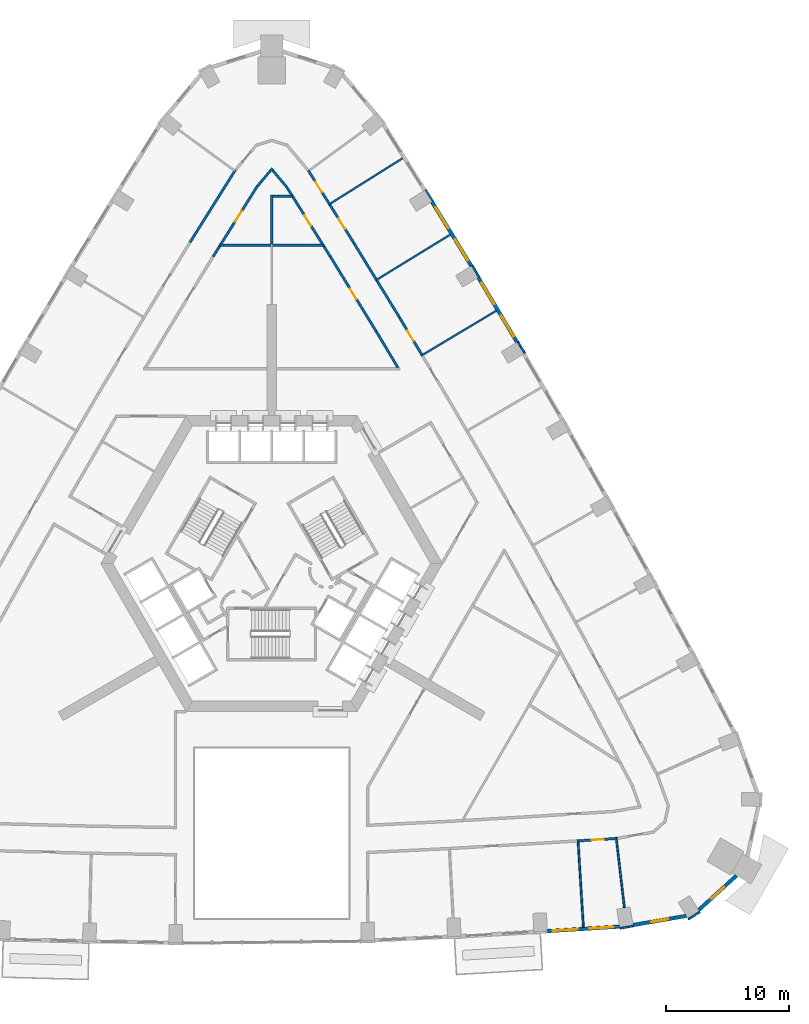
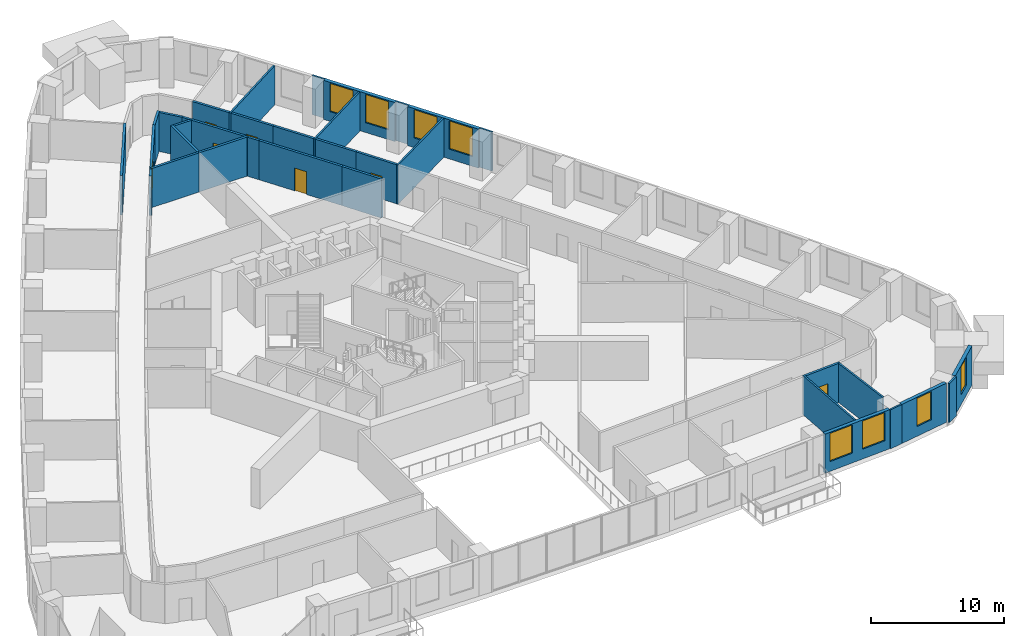
# One storey, part 10 of 15: 35 walls, 8 windows, 7 doors, 15 openings.
"""IFC4 building model written with IfcOpenShell, lengths in metres."""

from ifc_helpers import new_model, si_unit, direction, frame, frame_2d, origin, place, context, subcontext, project, spatial, rectangle, extrude, material, layer, layer_set, type_object, element, fill, save


model = new_model("IFC4")

# Units and contexts
model_context = context("Model", 3, precision=1e-05, world=origin(), true_north=direction((0.0, 1.0)))
body_context = subcontext(model_context, "Body", "Model", "MODEL_VIEW")
ifc_project = project(units=[si_unit("LENGTHUNIT", "METRE"), si_unit("AREAUNIT", "SQUARE_METRE"), si_unit("VOLUMEUNIT", "CUBIC_METRE"), si_unit("PLANEANGLEUNIT", "RADIAN"), si_unit("MASSUNIT", "GRAM", prefix="KILO")], contexts=[model_context])

# Site, building, storey
site_placement = place(None, origin())
site = spatial("IfcSite", under=ifc_project, at=site_placement, CompositionType="ELEMENT")
building_placement = place(site_placement, origin())
building = spatial("IfcBuilding", under=site, at=building_placement, Name="Entoto Arch Interchange Tower", CompositionType="ELEMENT")
storey_placement = place(building_placement, frame((0.0, 0.0, 128.60009765625)))
storey = spatial("IfcBuildingStorey", under=building, at=storey_placement, Name="L28", CompositionType="ELEMENT", Elevation=128.60009765625)

# Walls
ifc_material_1 = material(Name="Gypsum board partition on steel studs", Category="steel")
ifc_layer_1 = layer(ifc_material_1, 0.14990234375)
ifc_layer_set_1 = layer_set([ifc_layer_1], Name="Gypsum board partition on steel studs")
wall_type_1 = type_object("IfcWallType", Name="PARTITION 150", PredefinedType="PARTITIONING", material=ifc_layer_set_1)
wall_1_placement = place(storey_placement, frame((24.8291015625, -19.8759765625, 0.0), z_axis=(0.0, 0.0, 1.0), x_axis=(0.061693175316, -0.998095161856, 0.0)))
element("IfcWall", 1, at=wall_1_placement, inside=storey, type_object=wall_type_1, Name="wall:L28:p134", PredefinedType="PARTITIONING", context=body_context, shape_type="SweptSolid", body=[
    extrude(rectangle(XDim=7.099365234375, YDim=0.14990234375, at=frame_2d((3.5498046875, 0.0))), origin(), (0.0, 0.0, 1.0), 3.599853515625),
])
wall_2_placement = place(storey_placement, frame((27.925048828125, -19.68408203125, 0.0), z_axis=(0.0, 0.0, 1.0), x_axis=(0.115888394456, -0.993262241319, 0.0)))
element("IfcWall", 2, at=wall_2_placement, inside=storey, type_object=wall_type_1, Name="wall:L28:p135", PredefinedType="PARTITIONING", context=body_context, shape_type="SweptSolid", body=[
    extrude(rectangle(XDim=5.738525390625, YDim=0.14990234375, at=frame_2d((2.869140625, 0.0))), origin(), (0.0, 0.0, 1.0), 3.599853515625),
])
wall_3_placement = place(storey_placement, frame((12.10400390625, 19.347900390625, 0.0), z_axis=(0.0, 0.0, 1.0), x_axis=(0.85799008499, 0.513666247732, 0.0)))
element("IfcWall", 3, at=wall_3_placement, inside=storey, type_object=wall_type_1, Name="wall:L28:p141", PredefinedType="PARTITIONING", context=body_context, shape_type="SweptSolid", body=[
    extrude(rectangle(XDim=7.100341796875, YDim=0.14990234375, at=frame_2d((3.55029296875, 0.0))), origin(), (0.0, 0.0, 1.0), 3.599853515625),
])
wall_4_placement = place(storey_placement, frame((8.406005859375, 25.450927734375, 0.0), z_axis=(0.0, 0.0, 1.0), x_axis=(0.852520194289, 0.522694287637, 0.0)))
element("IfcWall", 4, at=wall_4_placement, inside=storey, type_object=wall_type_1, Name="wall:L28:p142", PredefinedType="PARTITIONING", context=body_context, shape_type="SweptSolid", body=[
    extrude(rectangle(XDim=7.10009765625, YDim=0.14990234375, at=frame_2d((3.550048828125, 0.0))), origin(), (0.0, 0.0, 1.0), 3.599853515625),
])
wall_5_placement = place(storey_placement, frame((4.596923828125, 31.589111328125, 0.0), z_axis=(0.0, 0.0, 1.0), x_axis=(0.846980720953, 0.531623605885, 0.0)))
element("IfcWall", 5, at=wall_5_placement, inside=storey, type_object=wall_type_1, Name="wall:L28:p143", PredefinedType="PARTITIONING", context=body_context, shape_type="SweptSolid", body=[
    extrude(rectangle(XDim=7.1005859375, YDim=0.14990234375, at=frame_2d((3.55029296875, 0.0))), origin(), (0.0, 0.0, 1.0), 3.599853515625),
])
ifc_layer_2 = layer(ifc_material_1, 0.199951171875)
ifc_layer_set_2 = layer_set([ifc_layer_2], Name="Gypsum board partition on steel studs")
wall_type_2 = type_object("IfcWallType", Name="PARTITION 200", PredefinedType="PARTITIONING", material=ifc_layer_set_2)
wall_6_placement = place(storey_placement, frame((10.23193359375, 18.385986328125, 0.0), z_axis=(0.0, 0.0, 1.0), x_axis=(-0.513592824646, 0.858034038062, 0.0)))
element("IfcWall", 6, at=wall_6_placement, inside=storey, type_object=wall_type_2, Name="wall:L28:p009", PredefinedType="PARTITIONING", context=body_context, shape_type="SweptSolid", body=[
    extrude(rectangle(XDim=3.420654296875, YDim=0.199951171875, at=frame_2d((1.71044921875, 0.0))), origin(), (0.0, 0.0, 1.0), 3.599853515625),
])

# Wall, opening, door
wall_7_placement = place(storey_placement, frame((8.47509765625, 21.321044921875, 0.0), z_axis=(0.0, 0.0, 1.0), x_axis=(-0.522743103274, 0.852490262689, 0.0)))
wall_7 = element("IfcWall", 7, at=wall_7_placement, inside=storey, type_object=wall_type_2, Name="wall:L28:p010", PredefinedType="PARTITIONING", context=body_context, shape_type="SweptSolid", body=[
    extrude(rectangle(XDim=7.114501953125, YDim=0.199951171875, at=frame_2d((3.55712890625, 0.0))), origin(), (0.0, 0.0, 1.0), 3.599853515625),
])
opening_1_placement = place(wall_7_placement, frame((3.056884765625, 0.0, 0.0)))
opening_1 = element("IfcOpeningElement", 8, at=opening_1_placement, cuts=wall_7, Name="Opening L28-D26", PredefinedType="OPENING", context=body_context, shape_type="SweptSolid", body=[
    extrude(rectangle(XDim=1.0, YDim=2.10009765625, at=frame_2d((0.5, 1.050048828125))), frame((0.0, 0.10986328125, 0.0), z_axis=(0.0, -1.0, 0.0), x_axis=(1.0, 0.0, 0.0)), (0.0, 0.0, 1.0), 0.219970703125),
])
ifc_material_2 = material(Name="Timber door leaf in Steel S235 frame", Category="steel")
door_type = type_object("IfcDoorType", Name="DOOR DS-10 1000x2100", OperationType="SINGLE_SWING_LEFT", PredefinedType="DOOR", material=ifc_material_2)
door_1_placement = place(opening_1_placement, origin())
door_1 = element("IfcDoor", 9, at=door_1_placement, inside=storey, type_object=door_type, Name="door:L28:26", OperationType="SINGLE_SWING_RIGHT", OverallHeight=2.10009765625, OverallWidth=1.0, PredefinedType="DOOR", context=body_context, shape_type="SweptSolid", body=[
    extrude(rectangle(XDim=1.0, YDim=2.10009765625, at=frame_2d((0.5, 1.050048828125))), frame((0.0, 0.02490234375, 0.0), z_axis=(0.0, -1.0, 0.0), x_axis=(1.0, 0.0, 0.0)), (0.0, 0.0, 1.0), 0.050048828125),
])
fill(opening_1, door_1)

# Walls
for number, where, z_axis, x_axis, name in (
    (10, (4.756103515625, 27.385986328125, 0.0), (0.0, 0.0, 1.0), (-0.531343659666, 0.84715637006, 0.0), "wall:L28:p011"),
    (11, (-4.236083984375, 28.215087890625, 0.0), (0.0, 0.0, 1.0), (-0.531343659666, -0.84715637006, 0.0), "wall:L28:p012"),
):
    element("IfcWall", number, at=place(storey_placement, frame(where, z_axis=z_axis, x_axis=x_axis)), inside=storey, type_object=wall_type_2, Name=name, PredefinedType="PARTITIONING", context=body_context, shape_type="SweptSolid", body=[
        extrude(rectangle(XDim=0.978759765625, YDim=0.199951171875, at=frame_2d((0.4892578125, 0.0))), origin(), (0.0, 0.0, 1.0), 3.599853515625),
    ])

# Wall, opening, door
wall_8_placement = place(storey_placement, frame((4.236083984375, 28.215087890625, 0.0), z_axis=(0.0, 0.0, 1.0), x_axis=(-0.531602694807, 0.84699384583, 0.0)))
wall_8 = element("IfcWall", 12, at=wall_8_placement, inside=storey, type_object=wall_type_2, Name="wall:L28:p015", PredefinedType="PARTITIONING", context=body_context, shape_type="SweptSolid", body=[
    extrude(rectangle(XDim=4.923095703125, YDim=0.199951171875, at=frame_2d((2.46142578125, 0.0))), origin(), (0.0, 0.0, 1.0), 3.599853515625),
])
opening_2_placement = place(wall_8_placement, frame((1.9609375, 0.0, 0.0)))
opening_2 = element("IfcOpeningElement", 13, at=opening_2_placement, cuts=wall_8, Name="Opening L28-D28", PredefinedType="OPENING", context=body_context, shape_type="SweptSolid", body=[
    extrude(rectangle(XDim=1.0, YDim=2.10009765625, at=frame_2d((0.5, 1.050048828125))), frame((0.0, 0.10986328125, 0.0), z_axis=(0.0, -1.0, 0.0), x_axis=(1.0, 0.0, 0.0)), (0.0, 0.0, 1.0), 0.219970703125),
])
door_2_placement = place(opening_2_placement, origin())
door_2 = element("IfcDoor", 14, at=door_2_placement, inside=storey, type_object=door_type, Name="door:L28:28", OperationType="SINGLE_SWING_LEFT", OverallHeight=2.10009765625, OverallWidth=1.0, PredefinedType="DOOR", context=body_context, shape_type="SweptSolid", body=[
    extrude(rectangle(XDim=1.0, YDim=2.10009765625, at=frame_2d((0.5, 1.050048828125))), frame((0.0, 0.02490234375, 0.0), z_axis=(0.0, -1.0, 0.0), x_axis=(1.0, 0.0, 0.0)), (0.0, 0.0, 1.0), 0.050048828125),
])
fill(opening_2, door_2)

# Walls
wall_9_placement = place(storey_placement, frame((1.618896484375, 32.385009765625, 0.0), z_axis=(0.0, 0.0, 1.0), x_axis=(-0.532112237469, 0.84667382547, 0.0)))
element("IfcWall", 15, at=wall_9_placement, inside=storey, type_object=wall_type_2, Name="wall:L28:p016", PredefinedType="PARTITIONING", context=body_context, shape_type="SweptSolid", body=[
    extrude(rectangle(XDim=0.674560546875, YDim=0.199951171875, at=frame_2d((0.33740234375, 0.0))), origin(), (0.0, 0.0, 1.0), 3.599853515625),
])
wall_10_placement = place(storey_placement, frame((1.27099609375, 32.964111328125, 0.0), z_axis=(0.0, 0.0, 1.0), x_axis=(-0.644007376392, 0.765019280249, 0.0)))
element("IfcWall", 16, at=wall_10_placement, inside=storey, type_object=wall_type_2, Name="wall:L28:p017", PredefinedType="PARTITIONING", context=body_context, shape_type="SweptSolid", body=[
    extrude(rectangle(XDim=1.874267578125, YDim=0.199951171875, at=frame_2d((0.93701171875, 0.0))), origin(), (0.0, 0.0, 1.0), 3.599853515625),
])
wall_11_placement = place(storey_placement, frame((0.06396484375, 34.551025390625, 0.0), z_axis=(0.0, 0.0, 1.0), x_axis=(-0.643638095982, -0.765329995101, 0.0)))
element("IfcWall", 17, at=wall_11_placement, inside=storey, type_object=wall_type_2, Name="wall:L28:p018", PredefinedType="PARTITIONING", context=body_context, shape_type="SweptSolid", body=[
    extrude(rectangle(XDim=1.873779296875, YDim=0.199951171875, at=frame_2d((0.93701171875, 0.0))), origin(), (0.0, 0.0, 1.0), 3.599853515625),
])

# Wall, opening, door
wall_12_placement = place(storey_placement, frame((-1.154052734375, 33.125, 0.0), z_axis=(0.0, 0.0, 1.0), x_axis=(-0.531652223099, -0.846962758139, 0.0)))
wall_12 = element("IfcWall", 18, at=wall_12_placement, inside=storey, type_object=wall_type_2, Name="wall:L28:p019", PredefinedType="PARTITIONING", context=body_context, shape_type="SweptSolid", body=[
    extrude(rectangle(XDim=5.797119140625, YDim=0.199951171875, at=frame_2d((2.8984375, 0.0))), origin(), (0.0, 0.0, 1.0), 3.599853515625),
])
opening_3_placement = place(wall_12_placement, frame((2.39892578125, 0.0, 0.0)))
opening_3 = element("IfcOpeningElement", 19, at=opening_3_placement, cuts=wall_12, Name="Opening L28-D29", PredefinedType="OPENING", context=body_context, shape_type="SweptSolid", body=[
    extrude(rectangle(XDim=1.0, YDim=2.10009765625, at=frame_2d((0.5, 1.050048828125))), frame((0.0, 0.10986328125, 0.0), z_axis=(0.0, -1.0, 0.0), x_axis=(1.0, 0.0, 0.0)), (0.0, 0.0, 1.0), 0.219970703125),
])
door_3_placement = place(opening_3_placement, origin())
door_3 = element("IfcDoor", 20, at=door_3_placement, inside=storey, type_object=door_type, Name="door:L28:29", OperationType="SINGLE_SWING_LEFT", OverallHeight=2.10009765625, OverallWidth=1.0, PredefinedType="DOOR", context=body_context, shape_type="SweptSolid", body=[
    extrude(rectangle(XDim=1.0, YDim=2.10009765625, at=frame_2d((0.5, 1.050048828125))), frame((0.0, 0.02490234375, 0.0), z_axis=(0.0, -1.0, 0.0), x_axis=(1.0, 0.0, 0.0)), (0.0, 0.0, 1.0), 0.050048828125),
])
fill(opening_3, door_3)

wall_13_placement = place(storey_placement, frame((27.9619140625, -19.781982421875, 0.0), z_axis=(0.0, 0.0, 1.0), x_axis=(-0.998088756763, -0.061796712082, 0.0)))
wall_13 = element("IfcWall", 21, at=wall_13_placement, inside=storey, type_object=wall_type_2, Name="wall:L28:p046", PredefinedType="PARTITIONING", context=body_context, shape_type="SweptSolid", body=[
    extrude(rectangle(XDim=3.057861328125, YDim=0.199951171875, at=frame_2d((1.52880859375, 0.0))), origin(), (0.0, 0.0, 1.0), 3.599853515625),
])
opening_4_placement = place(wall_13_placement, frame((1.029052734375, 0.0, 0.0)))
opening_4 = element("IfcOpeningElement", 22, at=opening_4_placement, cuts=wall_13, Name="Opening L28-D03", PredefinedType="OPENING", context=body_context, shape_type="SweptSolid", body=[
    extrude(rectangle(XDim=1.0, YDim=2.10009765625, at=frame_2d((0.5, 1.050048828125))), frame((0.0, 0.10986328125, 0.0), z_axis=(0.0, -1.0, 0.0), x_axis=(1.0, 0.0, 0.0)), (0.0, 0.0, 1.0), 0.219970703125),
])
door_4_placement = place(opening_4_placement, origin())
door_4 = element("IfcDoor", 23, at=door_4_placement, inside=storey, type_object=door_type, Name="door:L28:03", OperationType="SINGLE_SWING_RIGHT", OverallHeight=2.10009765625, OverallWidth=1.0, PredefinedType="DOOR", context=body_context, shape_type="SweptSolid", body=[
    extrude(rectangle(XDim=1.0, YDim=2.10009765625, at=frame_2d((0.5, 1.050048828125))), frame((0.0, 0.02490234375, 0.0), z_axis=(0.0, -1.0, 0.0), x_axis=(1.0, 0.0, 0.0)), (0.0, 0.0, 1.0), 0.050048828125),
])
fill(opening_4, door_4)

# Wall
wall_14_placement = place(storey_placement, frame((8.531005859375, 25.43896484375, 0.0), z_axis=(0.0, 0.0, 1.0), x_axis=(0.522704631836, -0.852513852003, 0.0)))
element("IfcWall", 24, at=wall_14_placement, inside=storey, type_object=wall_type_2, Name="wall:L28:p058", PredefinedType="PARTITIONING", context=body_context, shape_type="SweptSolid", body=[
    extrude(rectangle(XDim=3.4931640625, YDim=0.199951171875, at=frame_2d((1.74658203125, 0.0))), origin(), (0.0, 0.0, 1.0), 3.599853515625),
])

# Wall, opening, door
wall_15_placement = place(storey_placement, frame((10.35693359375, 22.4609375, 0.0), z_axis=(0.0, 0.0, 1.0), x_axis=(0.513467759888, -0.858108885606, 0.0)))
wall_15 = element("IfcWall", 25, at=wall_15_placement, inside=storey, type_object=wall_type_2, Name="wall:L28:p059", PredefinedType="PARTITIONING", context=body_context, shape_type="SweptSolid", body=[
    extrude(rectangle(XDim=3.493896484375, YDim=0.199951171875, at=frame_2d((1.7470703125, 0.0))), origin(), (0.0, 0.0, 1.0), 3.599853515625),
])
opening_5_placement = place(wall_15_placement, frame((1.2470703125, 0.0, 0.0)))
opening_5 = element("IfcOpeningElement", 26, at=opening_5_placement, cuts=wall_15, Name="Opening L28-D10", PredefinedType="OPENING", context=body_context, shape_type="SweptSolid", body=[
    extrude(rectangle(XDim=1.0, YDim=2.10009765625, at=frame_2d((0.5, 1.050048828125))), frame((0.0, 0.10986328125, 0.0), z_axis=(0.0, -1.0, 0.0), x_axis=(1.0, 0.0, 0.0)), (0.0, 0.0, 1.0), 0.219970703125),
])
door_5_placement = place(opening_5_placement, origin())
door_5 = element("IfcDoor", 27, at=door_5_placement, inside=storey, type_object=door_type, Name="door:L28:10", OperationType="SINGLE_SWING_RIGHT", OverallHeight=2.10009765625, OverallWidth=1.0, PredefinedType="DOOR", context=body_context, shape_type="SweptSolid", body=[
    extrude(rectangle(XDim=1.0, YDim=2.10009765625, at=frame_2d((0.5, 1.050048828125))), frame((0.0, 0.02490234375, 0.0), z_axis=(0.0, -1.0, 0.0), x_axis=(1.0, 0.0, 0.0)), (0.0, 0.0, 1.0), 0.050048828125),
])
fill(opening_5, door_5)

wall_16_placement = place(storey_placement, frame((4.721923828125, 31.5791015625, 0.0), z_axis=(0.0, 0.0, 1.0), x_axis=(0.531664655861, -0.846954953766, 0.0)))
wall_16 = element("IfcWall", 28, at=wall_16_placement, inside=storey, type_object=wall_type_2, Name="wall:L28:p060", PredefinedType="PARTITIONING", context=body_context, shape_type="SweptSolid", body=[
    extrude(rectangle(XDim=3.581298828125, YDim=0.199951171875, at=frame_2d((1.79052734375, 0.0))), origin(), (0.0, 0.0, 1.0), 3.599853515625),
])
opening_6_placement = place(wall_16_placement, frame((1.291015625, 0.0, 0.0)))
opening_6 = element("IfcOpeningElement", 29, at=opening_6_placement, cuts=wall_16, Name="Opening L28-D11", PredefinedType="OPENING", context=body_context, shape_type="SweptSolid", body=[
    extrude(rectangle(XDim=1.0, YDim=2.10009765625, at=frame_2d((0.5, 1.050048828125))), frame((0.0, 0.10986328125, 0.0), z_axis=(0.0, -1.0, 0.0), x_axis=(1.0, 0.0, 0.0)), (0.0, 0.0, 1.0), 0.219970703125),
])
door_6_placement = place(opening_6_placement, origin())
door_6 = element("IfcDoor", 30, at=door_6_placement, inside=storey, type_object=door_type, Name="door:L28:11", OperationType="SINGLE_SWING_LEFT", OverallHeight=2.10009765625, OverallWidth=1.0, PredefinedType="DOOR", context=body_context, shape_type="SweptSolid", body=[
    extrude(rectangle(XDim=1.0, YDim=2.10009765625, at=frame_2d((0.5, 1.050048828125))), frame((0.0, 0.02490234375, 0.0), z_axis=(0.0, -1.0, 0.0), x_axis=(1.0, 0.0, 0.0)), (0.0, 0.0, 1.0), 0.050048828125),
])
fill(opening_6, door_6)

# Wall
wall_17_placement = place(storey_placement, frame((6.6259765625, 28.5458984375, 0.0), z_axis=(0.0, 0.0, 1.0), x_axis=(0.522580081027, -0.852590205734, 0.0)))
element("IfcWall", 31, at=wall_17_placement, inside=storey, type_object=wall_type_2, Name="wall:L28:p061", PredefinedType="PARTITIONING", context=body_context, shape_type="SweptSolid", body=[
    extrude(rectangle(XDim=3.494140625, YDim=0.199951171875, at=frame_2d((1.7470703125, 0.0))), origin(), (0.0, 0.0, 1.0), 3.599853515625),
])

# Wall, opening, door
wall_18_placement = place(storey_placement, frame((2.97509765625, 34.361083984375, 0.0), z_axis=(0.0, 0.0, 1.0), x_axis=(0.531740854333, -0.846907116414, 0.0)))
wall_18 = element("IfcWall", 32, at=wall_18_placement, inside=storey, type_object=wall_type_2, Name="wall:L28:p062", PredefinedType="PARTITIONING", context=body_context, shape_type="SweptSolid", body=[
    extrude(rectangle(XDim=3.135009765625, YDim=0.199951171875, at=frame_2d((1.5673828125, 0.0))), origin(), (0.0, 0.0, 1.0), 3.599853515625),
])
opening_7_placement = place(wall_18_placement, frame((1.068115234375, 0.0, 0.0)))
opening_7 = element("IfcOpeningElement", 33, at=opening_7_placement, cuts=wall_18, Name="Opening L28-D12", PredefinedType="OPENING", context=body_context, shape_type="SweptSolid", body=[
    extrude(rectangle(XDim=1.0, YDim=2.10009765625, at=frame_2d((0.5, 1.050048828125))), frame((0.0, 0.10986328125, 0.0), z_axis=(0.0, -1.0, 0.0), x_axis=(1.0, 0.0, 0.0)), (0.0, 0.0, 1.0), 0.219970703125),
])
door_7_placement = place(opening_7_placement, origin())
door_7 = element("IfcDoor", 34, at=door_7_placement, inside=storey, type_object=door_type, Name="door:L28:12", OperationType="SINGLE_SWING_LEFT", OverallHeight=2.10009765625, OverallWidth=1.0, PredefinedType="DOOR", context=body_context, shape_type="SweptSolid", body=[
    extrude(rectangle(XDim=1.0, YDim=2.10009765625, at=frame_2d((0.5, 1.050048828125))), frame((0.0, 0.02490234375, 0.0), z_axis=(0.0, -1.0, 0.0), x_axis=(1.0, 0.0, 0.0)), (0.0, 0.0, 1.0), 0.050048828125),
])
fill(opening_7, door_7)

# Walls
wall_19_placement = place(storey_placement, frame((-6.6259765625, 28.5458984375, 0.0), z_axis=(0.0, 0.0, 1.0), x_axis=(0.531701842465, 0.846931609234, 0.0)))
element("IfcWall", 35, at=wall_19_placement, inside=storey, type_object=wall_type_2, Name="wall:L28:p068", PredefinedType="PARTITIONING", context=body_context, shape_type="SweptSolid", body=[
    extrude(rectangle(XDim=6.941650390625, YDim=0.199951171875, at=frame_2d((3.470703125, 0.0))), origin(), (0.0, 0.0, 1.0), 3.599853515625),
])
wall_20_placement = place(storey_placement, frame((-0.050048828125, 28.300048828125, 0.0), z_axis=(0.0, 0.0, 1.0), x_axis=(1.0, 0.0, 0.0)))
element("IfcWall", 36, at=wall_20_placement, inside=storey, type_object=wall_type_2, Name="wall:L28:p125", PredefinedType="PARTITIONING", context=body_context, shape_type="SweptSolid", body=[
    extrude(rectangle(XDim=4.23193359375, YDim=0.199951171875, at=frame_2d((2.115966796875, 0.0))), origin(), (0.0, 0.0, 1.0), 3.599853515625),
])
wall_21_placement = place(storey_placement, frame((-4.181884765625, 28.300048828125, 0.0), z_axis=(0.0, 0.0, 1.0), x_axis=(1.0, 0.0, 0.0)))
element("IfcWall", 37, at=wall_21_placement, inside=storey, type_object=wall_type_2, Name="wall:L28:p126", PredefinedType="PARTITIONING", context=body_context, shape_type="SweptSolid", body=[
    extrude(rectangle(XDim=4.1318359375, YDim=0.199951171875, at=frame_2d((2.06591796875, 0.0))), origin(), (0.0, 0.0, 1.0), 3.599853515625),
])
wall_22_placement = place(storey_placement, frame((0.0, 28.39990234375, 0.0), z_axis=(0.0, 0.0, 1.0), x_axis=(0.0, 1.0, 0.0)))
element("IfcWall", 38, at=wall_22_placement, inside=storey, type_object=wall_type_2, Name="wall:L28:p127", PredefinedType="PARTITIONING", context=body_context, shape_type="SweptSolid", body=[
    extrude(rectangle(XDim=4.0, YDim=0.199951171875, at=frame_2d((2.0, 0.0))), origin(), (0.0, 0.0, 1.0), 3.599853515625),
])
wall_23_placement = place(storey_placement, frame((0.10009765625, 32.300048828125, 0.0), z_axis=(0.0, 0.0, 1.0), x_axis=(1.0, 0.0, 0.0)))
element("IfcWall", 39, at=wall_23_placement, inside=storey, type_object=wall_type_2, Name="wall:L28:p128", PredefinedType="PARTITIONING", context=body_context, shape_type="SweptSolid", body=[
    extrude(rectangle(XDim=1.572021484375, YDim=0.199951171875, at=frame_2d((0.7861328125, 0.0))), origin(), (0.0, 0.0, 1.0), 3.599853515625),
])

# Wall, openings, windows
ifc_material_3 = material(Name="Welded tuff (ignimbrite) cladding, warm buff", Category="masonry")
ifc_layer_3 = layer(ifc_material_3, 0.300048828125)
ifc_layer_set_3 = layer_set([ifc_layer_3], Name="Welded tuff (ignimbrite) cladding, warm buff")
wall_type_3 = type_object("IfcWallType", Name="STONE INFILL WALL 300", PredefinedType="STANDARD", material=ifc_layer_set_3)
wall_24_placement = place(storey_placement, frame((22.33203125, -27.2939453125, 0.0), z_axis=(0.0, 0.0, 1.0), x_axis=(0.998086636664, 0.061830944626, 0.0)))
wall_24 = element("IfcWall", 40, at=wall_24_placement, inside=storey, type_object=wall_type_3, Name="Facade wall S-07 L28", PredefinedType="STANDARD", context=body_context, shape_type="SweptSolid", body=[
    extrude(rectangle(XDim=5.88720703125, YDim=0.300048828125, at=frame_2d((2.943603515625, 0.0))), origin(), (0.0, 0.0, 1.0), 3.599853515625),
])
opening_8_placement = place(wall_24_placement, frame((0.471923828125, 0.0, 0.89990234375)))
opening_8 = element("IfcOpeningElement", 41, at=opening_8_placement, cuts=wall_24, Name="Opening WO-C", PredefinedType="OPENING", context=body_context, shape_type="SweptSolid", body=[
    extrude(rectangle(XDim=2.0, YDim=2.60009765625, at=frame_2d((1.0, 1.300048828125))), frame((0.0, 0.16015625, 0.0), z_axis=(0.0, -1.0, 0.0), x_axis=(1.0, 0.0, 0.0)), (0.0, 0.0, 1.0), 0.320068359375),
])
opening_9_placement = place(wall_24_placement, frame((3.4150390625, 0.0, 0.89990234375)))
opening_9 = element("IfcOpeningElement", 42, at=opening_9_placement, cuts=wall_24, Name="Opening WO-C", PredefinedType="OPENING", context=body_context, shape_type="SweptSolid", body=[
    extrude(rectangle(XDim=2.0, YDim=2.60009765625, at=frame_2d((1.0, 1.300048828125))), frame((0.0, 0.16015625, 0.0), z_axis=(0.0, -1.0, 0.0), x_axis=(1.0, 0.0, 0.0)), (0.0, 0.0, 1.0), 0.320068359375),
])
ifc_material_4 = material(Name="Clear glass, low-e double glazed", Category="glass")
window_type_1 = type_object("IfcWindowType", Name="WINDOW WO-C 2000x2600", PartitioningType="DOUBLE_PANEL_VERTICAL", PredefinedType="WINDOW", material=ifc_material_4)
window_1_placement = place(opening_8_placement, origin())
window_1 = element("IfcWindow", 43, at=window_1_placement, inside=storey, type_object=window_type_1, Name="Window WO-C S-07 L28", OverallHeight=2.60009765625, OverallWidth=2.0, PartitioningType="SINGLE_PANEL", PredefinedType="WINDOW", context=body_context, shape_type="SweptSolid", body=[
    extrude(rectangle(XDim=2.0, YDim=2.60009765625, at=frame_2d((1.0, 1.300048828125))), frame((0.0, 0.030029296875, 0.0), z_axis=(0.0, -1.0, 0.0), x_axis=(1.0, 0.0, 0.0)), (0.0, 0.0, 1.0), 0.06005859375),
])
fill(opening_8, window_1)
window_2_placement = place(opening_9_placement, origin())
window_2 = element("IfcWindow", 44, at=window_2_placement, inside=storey, type_object=window_type_1, Name="Window WO-C S-07 L28", OverallHeight=2.60009765625, OverallWidth=2.0, PartitioningType="SINGLE_PANEL", PredefinedType="WINDOW", context=body_context, shape_type="SweptSolid", body=[
    extrude(rectangle(XDim=2.0, YDim=2.60009765625, at=frame_2d((1.0, 1.300048828125))), frame((0.0, 0.030029296875, 0.0), z_axis=(0.0, -1.0, 0.0), x_axis=(1.0, 0.0, 0.0)), (0.0, 0.0, 1.0), 0.06005859375),
])
fill(opening_9, window_2)

# Wall, opening, window
wall_25_placement = place(storey_placement, frame((29.300048828125, -26.803955078125, 0.0), z_axis=(0.0, 0.0, 1.0), x_axis=(0.985504881957, 0.169647067875, 0.0)))
wall_25 = element("IfcWall", 45, at=wall_25_placement, inside=storey, type_object=wall_type_3, Name="Facade wall SE-01 L28", PredefinedType="STANDARD", context=body_context, shape_type="SweptSolid", body=[
    extrude(rectangle(XDim=4.37353515625, YDim=0.300048828125, at=frame_2d((2.186767578125, 0.0))), origin(), (0.0, 0.0, 1.0), 3.599853515625),
])
opening_10_placement = place(wall_25_placement, frame((1.487060546875, 0.0, 0.89990234375)))
opening_10 = element("IfcOpeningElement", 46, at=opening_10_placement, cuts=wall_25, Name="Opening WO-B", PredefinedType="OPENING", context=body_context, shape_type="SweptSolid", body=[
    extrude(rectangle(XDim=1.39990234375, YDim=2.60009765625, at=frame_2d((0.699951171875, 1.300048828125))), frame((0.0, 0.16015625, 0.0), z_axis=(0.0, -1.0, 0.0), x_axis=(1.0, 0.0, 0.0)), (0.0, 0.0, 1.0), 0.320068359375),
])
window_type_2 = type_object("IfcWindowType", Name="WINDOW WO-B 1400x2600", PartitioningType="DOUBLE_PANEL_VERTICAL", PredefinedType="WINDOW", material=ifc_material_4)
window_3_placement = place(opening_10_placement, origin())
window_3 = element("IfcWindow", 47, at=window_3_placement, inside=storey, type_object=window_type_2, Name="Window WO-B SE-01 L28", OverallHeight=2.60009765625, OverallWidth=1.39990234375, PartitioningType="SINGLE_PANEL", PredefinedType="WINDOW", context=body_context, shape_type="SweptSolid", body=[
    extrude(rectangle(XDim=1.39990234375, YDim=2.60009765625, at=frame_2d((0.699951171875, 1.300048828125))), frame((0.0, 0.030029296875, 0.0), z_axis=(0.0, -1.0, 0.0), x_axis=(1.0, 0.0, 0.0)), (0.0, 0.0, 1.0), 0.06005859375),
])
fill(opening_10, window_3)

wall_26_placement = place(storey_placement, frame((34.610107421875, -25.593017578125, 0.0), z_axis=(0.0, 0.0, 1.0), x_axis=(0.738825046606, 0.673897284835, 0.0)))
wall_26 = element("IfcWall", 48, at=wall_26_placement, inside=storey, type_object=wall_type_3, Name="Facade wall SE-02 L28", PredefinedType="STANDARD", context=body_context, shape_type="SweptSolid", body=[
    extrude(rectangle(XDim=4.155029296875, YDim=0.300048828125, at=frame_2d((2.07763671875, 0.0))), origin(), (0.0, 0.0, 1.0), 3.599853515625),
])
opening_11_placement = place(wall_26_placement, frame((1.3779296875, 0.0, 0.89990234375)))
opening_11 = element("IfcOpeningElement", 49, at=opening_11_placement, cuts=wall_26, Name="Opening WO-B", PredefinedType="OPENING", context=body_context, shape_type="SweptSolid", body=[
    extrude(rectangle(XDim=1.39990234375, YDim=2.60009765625, at=frame_2d((0.699951171875, 1.300048828125))), frame((0.0, 0.16015625, 0.0), z_axis=(0.0, -1.0, 0.0), x_axis=(1.0, 0.0, 0.0)), (0.0, 0.0, 1.0), 0.320068359375),
])
window_4_placement = place(opening_11_placement, origin())
window_4 = element("IfcWindow", 50, at=window_4_placement, inside=storey, type_object=window_type_2, Name="Window WO-B SE-02 L28", OverallHeight=2.60009765625, OverallWidth=1.39990234375, PartitioningType="SINGLE_PANEL", PredefinedType="WINDOW", context=body_context, shape_type="SweptSolid", body=[
    extrude(rectangle(XDim=1.39990234375, YDim=2.60009765625, at=frame_2d((0.699951171875, 1.300048828125))), frame((0.0, 0.030029296875, 0.0), z_axis=(0.0, -1.0, 0.0), x_axis=(1.0, 0.0, 0.0)), (0.0, 0.0, 1.0), 0.06005859375),
])
fill(opening_11, window_4)

# Wall, openings, windows
wall_27_placement = place(storey_placement, frame((19.89501953125, 20.448974609375, 0.0), z_axis=(0.0, 0.0, 1.0), x_axis=(-0.513708729904, 0.857964650099, 0.0)))
wall_27 = element("IfcWall", 51, at=wall_27_placement, inside=storey, type_object=wall_type_3, Name="Facade wall NE-06 L28", PredefinedType="STANDARD", context=body_context, shape_type="SweptSolid", body=[
    extrude(rectangle(XDim=6.114501953125, YDim=0.300048828125, at=frame_2d((3.05712890625, 0.0))), origin(), (0.0, 0.0, 1.0), 3.599853515625),
])
opening_12_placement = place(wall_27_placement, frame((0.529052734375, 0.0, 0.89990234375)))
opening_12 = element("IfcOpeningElement", 52, at=opening_12_placement, cuts=wall_27, Name="Opening WO-C", PredefinedType="OPENING", context=body_context, shape_type="SweptSolid", body=[
    extrude(rectangle(XDim=2.0, YDim=2.60009765625, at=frame_2d((1.0, 1.300048828125))), frame((0.0, 0.16015625, 0.0), z_axis=(0.0, -1.0, 0.0), x_axis=(1.0, 0.0, 0.0)), (0.0, 0.0, 1.0), 0.320068359375),
])
opening_13_placement = place(wall_27_placement, frame((3.5859375, 0.0, 0.89990234375)))
opening_13 = element("IfcOpeningElement", 53, at=opening_13_placement, cuts=wall_27, Name="Opening WO-C", PredefinedType="OPENING", context=body_context, shape_type="SweptSolid", body=[
    extrude(rectangle(XDim=2.0, YDim=2.60009765625, at=frame_2d((1.0, 1.300048828125))), frame((0.0, 0.16015625, 0.0), z_axis=(0.0, -1.0, 0.0), x_axis=(1.0, 0.0, 0.0)), (0.0, 0.0, 1.0), 0.320068359375),
])
window_5_placement = place(opening_12_placement, origin())
window_5 = element("IfcWindow", 54, at=window_5_placement, inside=storey, type_object=window_type_1, Name="Window WO-C NE-06 L28", OverallHeight=2.60009765625, OverallWidth=2.0, PartitioningType="SINGLE_PANEL", PredefinedType="WINDOW", context=body_context, shape_type="SweptSolid", body=[
    extrude(rectangle(XDim=2.0, YDim=2.60009765625, at=frame_2d((1.0, 1.300048828125))), frame((0.0, 0.030029296875, 0.0), z_axis=(0.0, -1.0, 0.0), x_axis=(1.0, 0.0, 0.0)), (0.0, 0.0, 1.0), 0.06005859375),
])
fill(opening_12, window_5)
window_6_placement = place(opening_13_placement, origin())
window_6 = element("IfcWindow", 55, at=window_6_placement, inside=storey, type_object=window_type_1, Name="Window WO-C NE-06 L28", OverallHeight=2.60009765625, OverallWidth=2.0, PartitioningType="SINGLE_PANEL", PredefinedType="WINDOW", context=body_context, shape_type="SweptSolid", body=[
    extrude(rectangle(XDim=2.0, YDim=2.60009765625, at=frame_2d((1.0, 1.300048828125))), frame((0.0, 0.030029296875, 0.0), z_axis=(0.0, -1.0, 0.0), x_axis=(1.0, 0.0, 0.0)), (0.0, 0.0, 1.0), 0.06005859375),
])
fill(opening_13, window_6)

wall_28_placement = place(storey_placement, frame((16.18505859375, 26.634033203125, 0.0), z_axis=(0.0, 0.0, 1.0), x_axis=(-0.522757750181, 0.8524812811, 0.0)))
wall_28 = element("IfcWall", 56, at=wall_28_placement, inside=storey, type_object=wall_type_3, Name="Facade wall NE-07 L28", PredefinedType="STANDARD", context=body_context, shape_type="SweptSolid", body=[
    extrude(rectangle(XDim=6.11376953125, YDim=0.300048828125, at=frame_2d((3.056884765625, 0.0))), origin(), (0.0, 0.0, 1.0), 3.599853515625),
])
opening_14_placement = place(wall_28_placement, frame((0.528076171875, 0.0, 0.89990234375)))
opening_14 = element("IfcOpeningElement", 57, at=opening_14_placement, cuts=wall_28, Name="Opening WO-C", PredefinedType="OPENING", context=body_context, shape_type="SweptSolid", body=[
    extrude(rectangle(XDim=2.0, YDim=2.60009765625, at=frame_2d((1.0, 1.300048828125))), frame((0.0, 0.16015625, 0.0), z_axis=(0.0, -1.0, 0.0), x_axis=(1.0, 0.0, 0.0)), (0.0, 0.0, 1.0), 0.320068359375),
])
opening_15_placement = place(wall_28_placement, frame((3.5849609375, 0.0, 0.89990234375)))
opening_15 = element("IfcOpeningElement", 58, at=opening_15_placement, cuts=wall_28, Name="Opening WO-C", PredefinedType="OPENING", context=body_context, shape_type="SweptSolid", body=[
    extrude(rectangle(XDim=2.0, YDim=2.60009765625, at=frame_2d((1.0, 1.300048828125))), frame((0.0, 0.16015625, 0.0), z_axis=(0.0, -1.0, 0.0), x_axis=(1.0, 0.0, 0.0)), (0.0, 0.0, 1.0), 0.320068359375),
])
window_7_placement = place(opening_14_placement, origin())
window_7 = element("IfcWindow", 59, at=window_7_placement, inside=storey, type_object=window_type_1, Name="Window WO-C NE-07 L28", OverallHeight=2.60009765625, OverallWidth=2.0, PartitioningType="SINGLE_PANEL", PredefinedType="WINDOW", context=body_context, shape_type="SweptSolid", body=[
    extrude(rectangle(XDim=2.0, YDim=2.60009765625, at=frame_2d((1.0, 1.300048828125))), frame((0.0, 0.030029296875, 0.0), z_axis=(0.0, -1.0, 0.0), x_axis=(1.0, 0.0, 0.0)), (0.0, 0.0, 1.0), 0.06005859375),
])
fill(opening_14, window_7)
window_8_placement = place(opening_15_placement, origin())
window_8 = element("IfcWindow", 60, at=window_8_placement, inside=storey, type_object=window_type_1, Name="Window WO-C NE-07 L28", OverallHeight=2.60009765625, OverallWidth=2.0, PartitioningType="SINGLE_PANEL", PredefinedType="WINDOW", context=body_context, shape_type="SweptSolid", body=[
    extrude(rectangle(XDim=2.0, YDim=2.60009765625, at=frame_2d((1.0, 1.300048828125))), frame((0.0, 0.030029296875, 0.0), z_axis=(0.0, -1.0, 0.0), x_axis=(1.0, 0.0, 0.0)), (0.0, 0.0, 1.0), 0.06005859375),
])
fill(opening_15, window_8)

# Walls
ifc_layer_4 = layer(ifc_material_3, 0.14990234375)
ifc_layer_set_4 = layer_set([ifc_layer_4], Name="Welded tuff (ignimbrite) cladding, warm buff")
wall_type_4 = type_object("IfcWallType", Name="STONE PIER CLADDING 150", PredefinedType="STANDARD", material=ifc_layer_set_4)
wall_29_placement = place(storey_placement, frame((20.52197265625, 19.54296875, 0.0), z_axis=(0.0, 0.0, 1.0), x_axis=(-0.510082245696, 0.860125631885, 0.0)))
element("IfcWall", 61, at=wall_29_placement, inside=storey, type_object=wall_type_4, Name="Stone pier NE06 L28", PredefinedType="STANDARD", context=body_context, shape_type="SweptSolid", body=[
    extrude(rectangle(XDim=1.099853515625, YDim=0.14990234375, at=frame_2d((0.5498046875, 0.0))), origin(), (0.0, 0.0, 1.0), 3.599853515625),
])
wall_30_placement = place(storey_placement, frame((16.822021484375, 25.735107421875, 0.0), z_axis=(0.0, 0.0, 1.0), x_axis=(-0.519869515594, 0.854245682901, 0.0)))
element("IfcWall", 62, at=wall_30_placement, inside=storey, type_object=wall_type_4, Name="Stone pier NE07 L28", PredefinedType="STANDARD", context=body_context, shape_type="SweptSolid", body=[
    extrude(rectangle(XDim=1.100341796875, YDim=0.14990234375, at=frame_2d((0.55029296875, 0.0))), origin(), (0.0, 0.0, 1.0), 3.599853515625),
])
wall_31_placement = place(storey_placement, frame((13.056884765625, 31.887939453125, 0.0), z_axis=(0.0, 0.0, 1.0), x_axis=(-0.529719642941, 0.848172800721, 0.0)))
element("IfcWall", 63, at=wall_31_placement, inside=storey, type_object=wall_type_4, Name="Stone pier NE08 L28", PredefinedType="STANDARD", context=body_context, shape_type="SweptSolid", body=[
    extrude(rectangle(XDim=1.10009765625, YDim=0.14990234375, at=frame_2d((0.550048828125, 0.0))), origin(), (0.0, 0.0, 1.0), 3.599853515625),
])
wall_32_placement = place(storey_placement, frame((28.22900390625, -27.06396484375, 0.0), z_axis=(0.0, 0.0, 1.0), x_axis=(0.985763338892, 0.168138751323, 0.0)))
element("IfcWall", 64, at=wall_32_placement, inside=storey, type_object=wall_type_4, Name="Stone pier S08 L28", PredefinedType="STANDARD", context=body_context, shape_type="SweptSolid", body=[
    extrude(rectangle(XDim=1.1005859375, YDim=0.14990234375, at=frame_2d((0.55029296875, 0.0))), origin(), (0.0, 0.0, 1.0), 3.599853515625),
])
wall_33_placement = place(storey_placement, frame((33.76708984375, -26.322021484375, 0.0), z_axis=(0.0, 0.0, 1.0), x_axis=(0.854245682901, 0.519869515594, 0.0)))
element("IfcWall", 65, at=wall_33_placement, inside=storey, type_object=wall_type_4, Name="Stone pier SE1 L28", PredefinedType="STANDARD", context=body_context, shape_type="SweptSolid", body=[
    extrude(rectangle(XDim=1.100341796875, YDim=0.14990234375, at=frame_2d((0.55029296875, 0.0))), origin(), (0.0, 0.0, 1.0), 3.599853515625),
])

save(model, "model.ifc")
